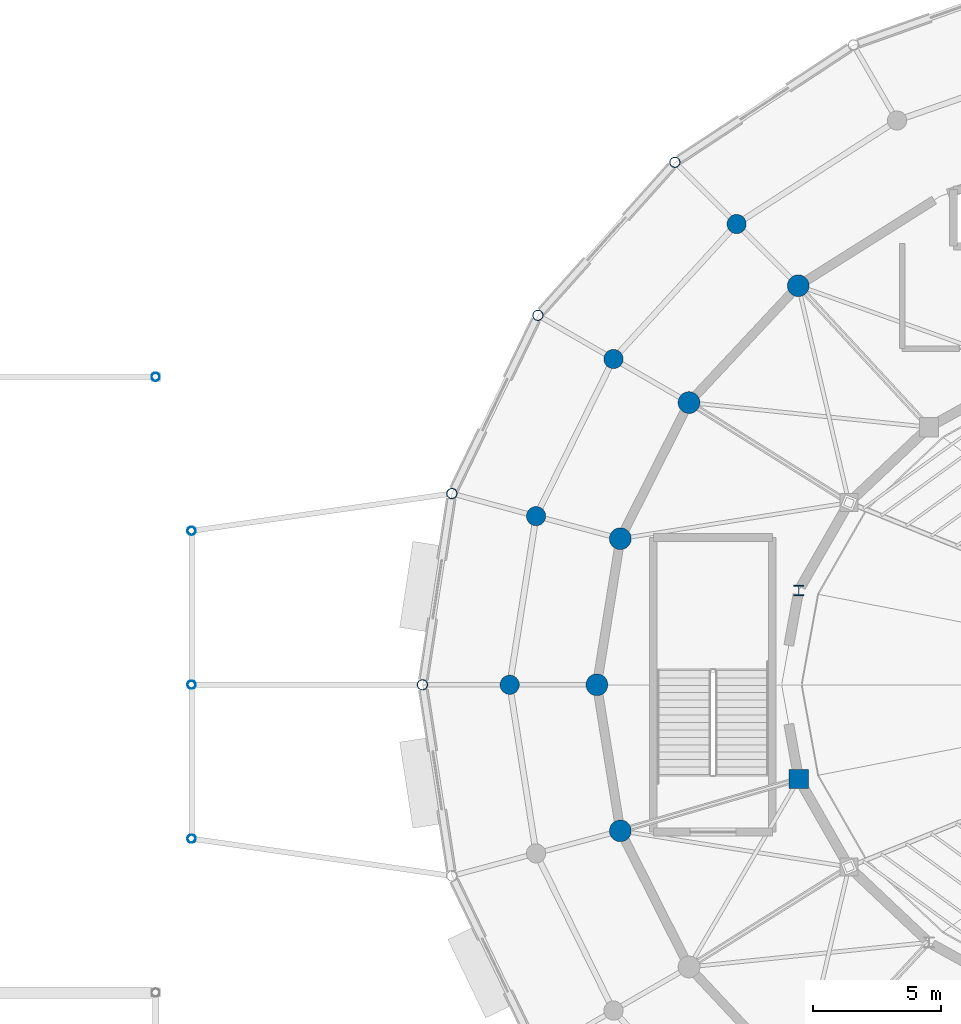
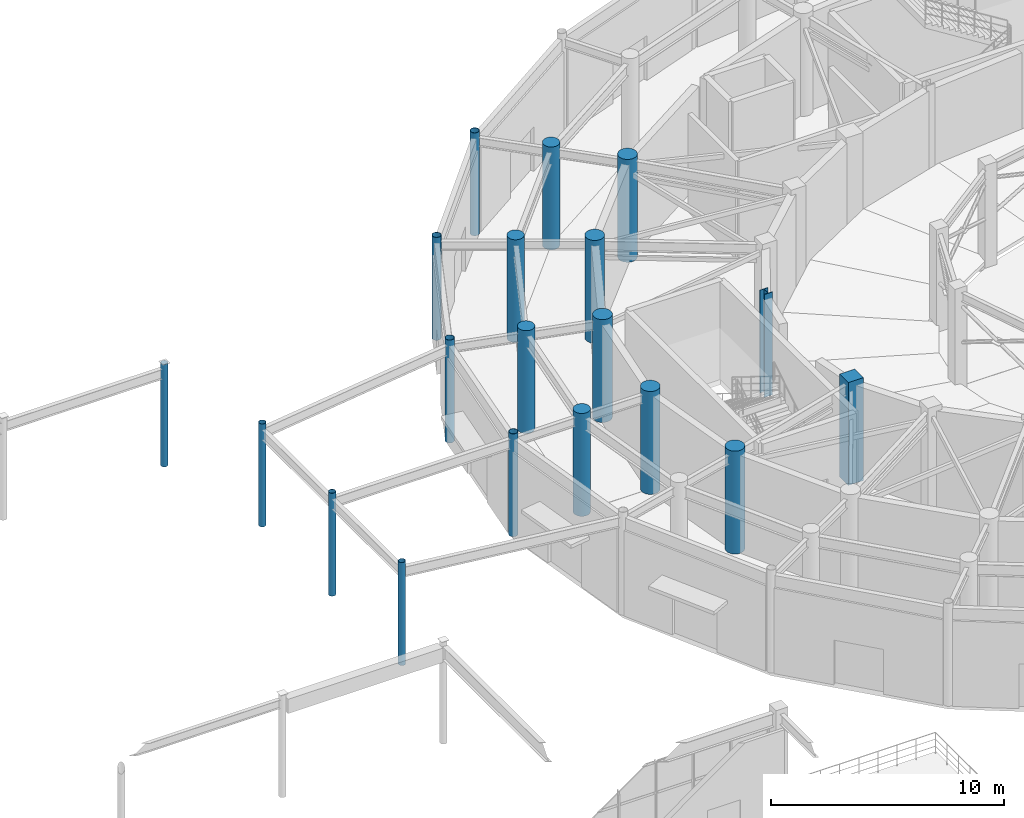
# One storey, part 7 of 93: 19 columns.
"""IFC4 building model written with IfcOpenShell, lengths in metres."""

from ifc_helpers import new_model, si_unit, direction, frame, origin, origin_2d, place, context, subcontext, project, spatial, rectangle, circle, hollow_circle, i_section, extrude, material, material_profile, profile_set, type_object, element, save


model = new_model("IFC4")

# Units and contexts
model_context = context("Model", 3, precision=1e-05, world=origin(), true_north=direction((0.0, 1.0)))
body_context = subcontext(model_context, "Body", "Model", "MODEL_VIEW")
ifc_project = project(units=[si_unit("LENGTHUNIT", "METRE"), si_unit("AREAUNIT", "SQUARE_METRE"), si_unit("VOLUMEUNIT", "CUBIC_METRE"), si_unit("PLANEANGLEUNIT", "RADIAN"), si_unit("MASSUNIT", "GRAM", prefix="KILO")], contexts=[model_context])

# Site, building, storey
site_placement = place(None, origin())
site = spatial("IfcSite", under=ifc_project, at=site_placement, CompositionType="ELEMENT")
building_placement = place(site_placement, origin())
building = spatial("IfcBuilding", under=site, at=building_placement, Name="Cinderbank Siding Concert Hall", CompositionType="ELEMENT")
storey_placement = place(building_placement, origin())
storey = spatial("IfcBuildingStorey", under=building, at=storey_placement, Name="L01", CompositionType="ELEMENT", Elevation=0.0)

# Columns
ifc_material_1 = material(Name="Structural steel hollow section AS/NZS 1163 Grade C350L0 (350 MPa)", Category="steel")
ifc_material_profile_1 = material_profile(ifc_material_1, hollow_circle(Radius=0.161865234375, WallThickness=0.0126953125, at=origin_2d()), Name="323.9x12.7CHS", Category="LoadBearing")
ifc_profile_set_1 = profile_set([ifc_material_profile_1], Name="Structural steel hollow section AS/NZS 1163 Grade C350L0 (350 MPa)")
column_type_1 = type_object("IfcColumnType", Name="C-CHS323 323.9x12.7CHS", PredefinedType="COLUMN", material=ifc_profile_set_1)
for number, where, z_axis, x_axis, name in (
    (1, (79.39990234375, 38.0, 0.0), (0.0, 0.0, 1.0), (1.0, 0.0, 0.0), "L01 Column COL-CNP-01"),
    (2, (79.39990234375, 44.0, 0.0), (0.0, 0.0, 1.0), (1.0, 0.0, 0.0), "L01 Column COL-CNP-02"),
    (3, (79.39990234375, 50.0, 0.0), (0.0, 0.0, 1.0), (1.0, 0.0, 0.0), "L01 Column COL-CNP-03"),
):
    element("IfcColumn", number, at=place(storey_placement, frame(where, z_axis=z_axis, x_axis=x_axis)), inside=storey, type_object=column_type_1, Name=name, PredefinedType="COLUMN", context=body_context, shape_type="SweptSolid", body=[
        extrude(hollow_circle(Radius=0.161865234375, WallThickness=0.0126953125, at=origin_2d()), origin(), (0.0, 0.0, 1.0), 5.39990234375),
    ])
column_1_placement = place(storey_placement, frame((78.0, 56.0, 0.0), z_axis=(0.0, 0.0, 1.0), x_axis=(1.0, 0.0, 0.0)))
element("IfcColumn", 4, at=column_1_placement, inside=storey, type_object=column_type_1, Name="L01 Column COL-PAD-06", PredefinedType="COLUMN", context=body_context, shape_type="SweptSolid", body=[
    extrude(hollow_circle(Radius=0.161865234375, WallThickness=0.0126953125, at=origin_2d()), origin(), (0.0, 0.0, 1.0), 5.3798828125),
])
ifc_material_profile_2 = material_profile(ifc_material_1, hollow_circle(Radius=0.203125, WallThickness=0.01611328125, at=origin_2d()), Name="406.4x16.0CHS", Category="LoadBearing")
ifc_profile_set_2 = profile_set([ifc_material_profile_2], Name="Structural steel hollow section AS/NZS 1163 Grade C350L0 (350 MPa)")
column_type_2 = type_object("IfcColumnType", Name="C-CHS406 406.4x16.0CHS", PredefinedType="COLUMN", material=ifc_profile_set_2)
for number, where, z_axis, x_axis, name in (
    (5, (98.240966796875, 64.364990234375, 0.0), (0.0, 0.0, 1.0), (1.0, 0.0, 0.0), "L01 Column COL-E4-10"),
    (6, (92.90087890625, 58.39990234375, 0.0), (0.0, 0.0, 1.0), (1.0, 0.0, 0.0), "L01 Column COL-E4-11"),
    (7, (89.544921875, 51.4541015625, 0.0), (0.0, 0.0, 1.0), (1.0, 0.0, 0.0), "L01 Column COL-E4-12"),
    (8, (88.39990234375, 44.0, 0.0), (0.0, 0.0, 1.0), (1.0, 0.0, 0.0), "L01 Column COL-E4-13"),
):
    element("IfcColumn", number, at=place(storey_placement, frame(where, z_axis=z_axis, x_axis=x_axis)), inside=storey, type_object=column_type_2, Name=name, PredefinedType="COLUMN", context=body_context, shape_type="SweptSolid", body=[
        extrude(hollow_circle(Radius=0.203125, WallThickness=0.01611328125, at=origin_2d()), origin(), (0.0, 0.0, 1.0), 5.39990234375),
    ])
ifc_material_2 = material(Name="Reinforced concrete AS 3600 N50 (50 MPa)", Category="concrete")
ifc_material_profile_3 = material_profile(ifc_material_2, rectangle(XDim=0.75, YDim=0.75, at=origin_2d()), Name="RC-COL-750x750", Category="LoadBearing")
ifc_profile_set_3 = profile_set([ifc_material_profile_3], Name="Reinforced concrete AS 3600 N50 (50 MPa)")
column_type_3 = type_object("IfcColumnType", Name="C-RC750 RC-COL-750x750", PredefinedType="COLUMN", material=ifc_profile_set_3)
column_2_placement = place(storey_placement, frame((103.068115234375, 40.324951171875, 0.0), z_axis=(0.0, 0.0, 1.0), x_axis=(1.0, 0.0, 0.0)))
element("IfcColumn", 9, at=column_2_placement, inside=storey, type_object=column_type_3, Name="L01 Column COL-E1-14", PredefinedType="COLUMN", context=body_context, shape_type="SweptSolid", body=[
    extrude(rectangle(XDim=0.75, YDim=0.75, at=origin_2d()), origin(), (0.0, 0.0, 1.0), 5.39990234375),
])
ifc_material_profile_4 = material_profile(ifc_material_2, circle(Radius=0.375, at=origin_2d()), Name="RC-COL-750DIA", Category="LoadBearing")
ifc_profile_set_4 = profile_set([ifc_material_profile_4], Name="Reinforced concrete AS 3600 N50 (50 MPa)")
column_type_4 = type_object("IfcColumnType", Name="C-RCD750 RC-COL-750DIA", PredefinedType="COLUMN", material=ifc_profile_set_4)
for number, where, z_axis, x_axis, name in (
    (10, (100.64501953125, 61.9609375, 0.0), (0.0, 0.0, 1.0), (1.0, 0.0, 0.0), "L01 Column COL-E3-10"),
    (11, (95.845947265625, 56.699951171875, 0.0), (0.0, 0.0, 1.0), (1.0, 0.0, 0.0), "L01 Column COL-E3-11"),
    (12, (92.8291015625, 50.573974609375, 0.0), (0.0, 0.0, 1.0), (1.0, 0.0, 0.0), "L01 Column COL-E3-12"),
    (13, (91.800048828125, 44.0, 0.0), (0.0, 0.0, 1.0), (1.0, 0.0, 0.0), "L01 Column COL-E3-13"),
):
    element("IfcColumn", number, at=place(storey_placement, frame(where, z_axis=z_axis, x_axis=x_axis)), inside=storey, type_object=column_type_4, Name=name, PredefinedType="COLUMN", context=body_context, shape_type="SweptSolid", body=[
        extrude(circle(Radius=0.375, at=origin_2d()), origin(), (0.0, 0.0, 1.0), 5.39990234375),
    ])
ifc_material_profile_5 = material_profile(ifc_material_2, circle(Radius=0.425048828125, at=origin_2d()), Name="RC-COL-850DIA", Category="LoadBearing")
ifc_profile_set_5 = profile_set([ifc_material_profile_5], Name="Reinforced concrete AS 3600 N50 (50 MPa)")
column_type_5 = type_object("IfcColumnType", Name="C-RCD850 RC-COL-850DIA", PredefinedType="COLUMN", material=ifc_profile_set_5)
for number, where, z_axis, x_axis, name in (
    (14, (103.049072265625, 59.555908203125, 0.0), (0.0, 0.0, 1.0), (1.0, 0.0, 0.0), "L01 Column COL-E2-10"),
    (15, (98.7900390625, 55.0, 0.0), (0.0, 0.0, 1.0), (1.0, 0.0, 0.0), "L01 Column COL-E2-11"),
    (16, (96.113037109375, 49.694091796875, 0.0), (0.0, 0.0, 1.0), (1.0, 0.0, 0.0), "L01 Column COL-E2-12"),
    (17, (95.199951171875, 44.0, 0.0), (0.0, 0.0, 1.0), (1.0, 0.0, 0.0), "L01 Column COL-E2-13"),
    (18, (96.113037109375, 38.305908203125, 0.0), (0.0, 0.0, 1.0), (1.0, 0.0, 0.0), "L01 Column COL-E2-14"),
):
    element("IfcColumn", number, at=place(storey_placement, frame(where, z_axis=z_axis, x_axis=x_axis)), inside=storey, type_object=column_type_5, Name=name, PredefinedType="COLUMN", context=body_context, shape_type="SweptSolid", body=[
        extrude(circle(Radius=0.425048828125, at=origin_2d()), origin(), (0.0, 0.0, 1.0), 5.39990234375),
    ])
ifc_material_3 = material(Name="Structural steel welded plate section AS/NZS 3679.2 / AS/NZS 3678 Grade 350 (340 MPa)", Category="steel")
ifc_material_profile_6 = material_profile(ifc_material_3, i_section(OverallWidth=0.39990234375, OverallDepth=0.39990234375, WebThickness=0.01611328125, FlangeThickness=0.02490234375, at=origin_2d()), Name="400WC212", Category="LoadBearing")
ifc_profile_set_6 = profile_set([ifc_material_profile_6], Name="Structural steel welded plate section AS/NZS 3679.2 / AS/NZS 3678 Grade 350 (340 MPa)")
column_type_6 = type_object("IfcColumnType", Name="C-WC400 400WC212", PredefinedType="COLUMN", material=ifc_profile_set_6)
column_3_placement = place(storey_placement, frame((103.068115234375, 47.675048828125, 0.0), z_axis=(0.0, 0.0, 1.0), x_axis=(1.0, 0.0, 0.0)))
element("IfcColumn", 19, at=column_3_placement, inside=storey, type_object=column_type_6, Name="L01 Column COL-E1-12", PredefinedType="COLUMN", context=body_context, shape_type="SweptSolid", body=[
    extrude(i_section(OverallWidth=0.39990234375, OverallDepth=0.39990234375, WebThickness=0.01611328125, FlangeThickness=0.02490234375, at=origin_2d()), origin(), (0.0, 0.0, 1.0), 5.39990234375),
])

save(model, "model.ifc")
